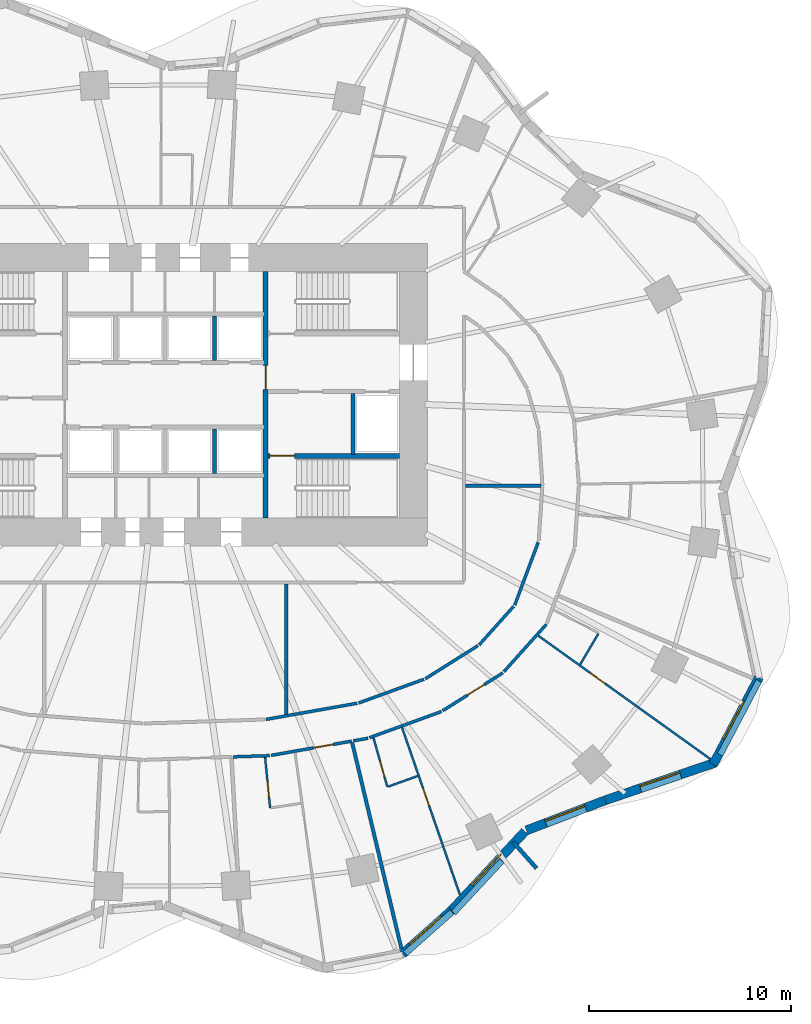
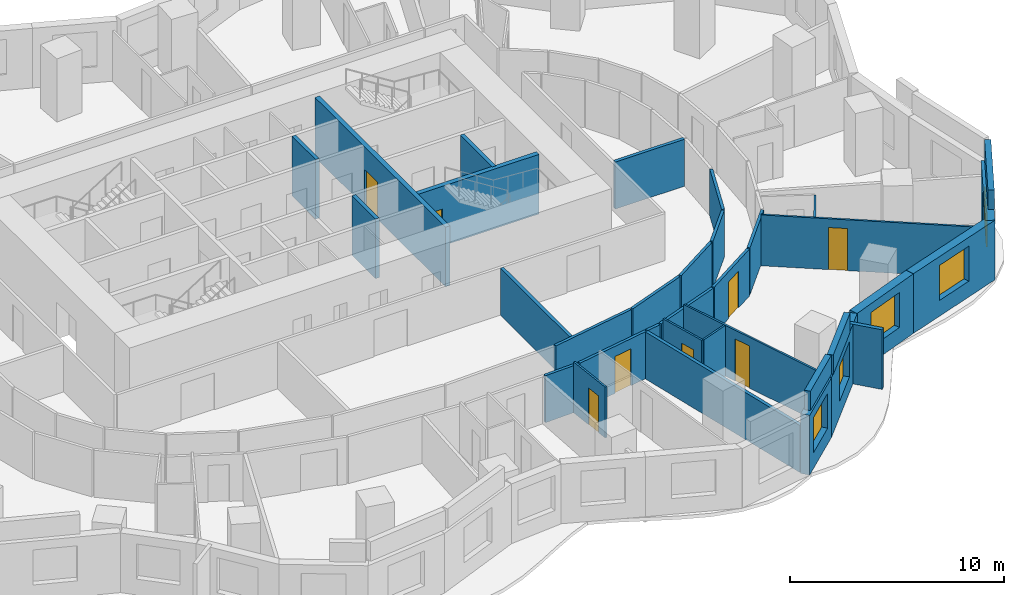
# One storey, part 6 of 11: 34 walls, 8 doors, 5 windows, 13 openings.
"""IFC4 building model written with IfcOpenShell, lengths in metres."""

from ifc_helpers import new_model, si_unit, direction, frame, frame_2d, origin, place, context, subcontext, project, spatial, rectangle, extrude, material, layer, layer_set, type_object, element, fill, save


model = new_model("IFC4")

# Units and contexts
model_context = context("Model", 3, precision=1e-05, world=origin(), true_north=direction((0.0, 1.0)))
body_context = subcontext(model_context, "Body", "Model", "MODEL_VIEW")
ifc_project = project(units=[si_unit("LENGTHUNIT", "METRE"), si_unit("AREAUNIT", "SQUARE_METRE"), si_unit("VOLUMEUNIT", "CUBIC_METRE"), si_unit("PLANEANGLEUNIT", "RADIAN"), si_unit("MASSUNIT", "GRAM", prefix="KILO")], contexts=[model_context])

# Site, building, storey
site_placement = place(None, origin())
site = spatial("IfcSite", under=ifc_project, at=site_placement, CompositionType="ELEMENT")
building_placement = place(site_placement, origin())
building = spatial("IfcBuilding", under=site, at=building_placement, Name="Rubra Terraces Tower", CompositionType="ELEMENT")
storey_placement = place(building_placement, frame((0.0, 0.0, 69.89990234375)))
storey = spatial("IfcBuildingStorey", under=building, at=storey_placement, Name="L15", CompositionType="ELEMENT", Elevation=69.89990234375)

# Walls
ifc_material_1 = material(Name="Twin plasterboard on staggered steel stud, acoustic mineral wool", Category="steel")
ifc_layer_1 = layer(ifc_material_1, 0.175048828125)
ifc_layer_set_1 = layer_set([ifc_layer_1], Name="Twin plasterboard on staggered steel stud, acoustic mineral wool")
wall_type_1 = type_object("IfcWallType", Name="ACOUSTIC PARTY WALL 175", PredefinedType="PARTITIONING", material=ifc_layer_set_1)
wall_1_placement = place(storey_placement, frame((11.70654296875, -22.9560546875, 0.0), z_axis=(0.0, 0.0, 1.0), x_axis=(-0.232380654268, 0.972624918209, 0.0)))
element("IfcWall", 1, at=wall_1_placement, inside=storey, type_object=wall_type_1, Name="PARTITION", PredefinedType="PARTITIONING", context=body_context, shape_type="SweptSolid", body=[
    extrude(rectangle(XDim=10.507080078125, YDim=0.175048828125, at=frame_2d((5.25341796875, 0.0))), origin(), (0.0, 0.0, 1.0), 2.68017578125),
])
wall_2_placement = place(storey_placement, frame((6.0, -11.3359375, 0.0), z_axis=(0.0, 0.0, 1.0), x_axis=(0.0, 1.0, 0.0)))
element("IfcWall", 2, at=wall_2_placement, inside=storey, type_object=wall_type_1, Name="PARTITION", PredefinedType="PARTITIONING", context=body_context, shape_type="SweptSolid", body=[
    extrude(rectangle(XDim=6.4609375, YDim=0.175048828125, at=frame_2d((3.23046875, 0.0))), origin(), (0.0, 0.0, 1.0), 2.68017578125),
])
wall_3_placement = place(storey_placement, frame((14.875, 0.0, 0.0), z_axis=(0.0, 0.0, 1.0), x_axis=(1.0, 0.0, 0.0)))
element("IfcWall", 3, at=wall_3_placement, inside=storey, type_object=wall_type_1, Name="PARTITION", PredefinedType="PARTITIONING", context=body_context, shape_type="SweptSolid", body=[
    extrude(rectangle(XDim=3.744384765625, YDim=0.175048828125, at=frame_2d((1.8720703125, 0.0))), origin(), (0.0, 0.0, 1.0), 2.68017578125),
])

# Wall, opening, window
ifc_material_2 = material(Name="Brick masonry red-brown", Category="masonry")
ifc_layer_2 = layer(ifc_material_2, 0.449951171875)
ifc_layer_set_2 = layer_set([ifc_layer_2], Name="Brick masonry red-brown")
wall_type_2 = type_object("IfcWallType", Name="Brick facade wall 450", PredefinedType="SOLIDWALL", material=ifc_layer_set_2)
wall_4_placement = place(storey_placement, frame((11.763427734375, -23.2119140625, 0.0), z_axis=(0.0, 0.0, 1.0), x_axis=(0.74723528797, 0.664559571755, 0.0)))
wall_4 = element("IfcWall", 4, at=wall_4_placement, inside=storey, type_object=wall_type_2, Name="Facade wall L15 bay 34", PredefinedType="SOLIDWALL", context=body_context, shape_type="SweptSolid", body=[
    extrude(rectangle(XDim=3.251220703125, YDim=0.449951171875, at=frame_2d((1.62548828125, 0.0))), origin(), (0.0, 0.0, 1.0), 3.400146484375),
])
opening_1_placement = place(wall_4_placement, frame((0.57568359375, 0.0, 0.89990234375)))
opening_1 = element("IfcOpeningElement", 5, at=opening_1_placement, cuts=wall_4, Name="Opening W1", PredefinedType="OPENING", context=body_context, shape_type="SweptSolid", body=[
    extrude(rectangle(XDim=2.10009765625, YDim=2.0, at=frame_2d((1.050048828125, 1.0))), frame((0.0, 0.23486328125, 0.0), z_axis=(0.0, -1.0, 0.0), x_axis=(1.0, 0.0, 0.0)), (0.0, 0.0, 1.0), 0.469970703125),
])
ifc_material_3 = material(Name="Clear glass in aluminium frame", Category="aluminium")
window_type = type_object("IfcWindowType", Name="Fixed deep-set window 2100 x 2000", PartitioningType="SINGLE_PANEL", PredefinedType="WINDOW", material=ifc_material_3)
window_1_placement = place(opening_1_placement, origin())
window_1 = element("IfcWindow", 6, at=window_1_placement, inside=storey, type_object=window_type, Name="Window L15 bay 34", OverallHeight=2.0, OverallWidth=2.10009765625, PartitioningType="SINGLE_PANEL", PredefinedType="WINDOW", context=body_context, shape_type="SweptSolid", body=[
    extrude(rectangle(XDim=2.10009765625, YDim=2.0, at=frame_2d((1.050048828125, 1.0))), frame((0.0, 0.135009765625, 0.0), z_axis=(0.0, -1.0, 0.0), x_axis=(1.0, 0.0, 0.0)), (0.0, 0.0, 1.0), 0.06005859375),
])
fill(opening_1, window_1)

wall_5_placement = place(storey_placement, frame((14.177490234375, -21.066162109375, 0.0), z_axis=(0.0, 0.0, 1.0), x_axis=(0.680847709714, 0.732425010617, 0.0)))
wall_5 = element("IfcWall", 7, at=wall_5_placement, inside=storey, type_object=wall_type_2, Name="Facade wall L15 bay 35", PredefinedType="SOLIDWALL", context=body_context, shape_type="SweptSolid", body=[
    extrude(rectangle(XDim=5.3583984375, YDim=0.449951171875, at=frame_2d((2.67919921875, 0.0))), origin(), (0.0, 0.0, 1.0), 3.400146484375),
])
opening_2_placement = place(wall_5_placement, frame((1.629150390625, 0.0, 0.89990234375)))
opening_2 = element("IfcOpeningElement", 8, at=opening_2_placement, cuts=wall_5, Name="Opening W1", PredefinedType="OPENING", context=body_context, shape_type="SweptSolid", body=[
    extrude(rectangle(XDim=2.10009765625, YDim=2.0, at=frame_2d((1.050048828125, 1.0))), frame((0.0, 0.23486328125, 0.0), z_axis=(0.0, -1.0, 0.0), x_axis=(1.0, 0.0, 0.0)), (0.0, 0.0, 1.0), 0.469970703125),
])
window_2_placement = place(opening_2_placement, origin())
window_2 = element("IfcWindow", 9, at=window_2_placement, inside=storey, type_object=window_type, Name="Window L15 bay 35", OverallHeight=2.0, OverallWidth=2.10009765625, PartitioningType="SINGLE_PANEL", PredefinedType="WINDOW", context=body_context, shape_type="SweptSolid", body=[
    extrude(rectangle(XDim=2.10009765625, YDim=2.0, at=frame_2d((1.050048828125, 1.0))), frame((0.0, 0.135009765625, 0.0), z_axis=(0.0, -1.0, 0.0), x_axis=(1.0, 0.0, 0.0)), (0.0, 0.0, 1.0), 0.06005859375),
])
fill(opening_2, window_2)

wall_6_placement = place(storey_placement, frame((17.9033203125, -17.08740234375, 0.0), z_axis=(0.0, 0.0, 1.0), x_axis=(0.934145554025, 0.356892258105, 0.0)))
wall_6 = element("IfcWall", 10, at=wall_6_placement, inside=storey, type_object=wall_type_2, Name="Facade wall L15 bay 36", PredefinedType="SOLIDWALL", context=body_context, shape_type="SweptSolid", body=[
    extrude(rectangle(XDim=4.16455078125, YDim=0.449951171875, at=frame_2d((2.082275390625, 0.0))), origin(), (0.0, 0.0, 1.0), 3.400146484375),
])
opening_3_placement = place(wall_6_placement, frame((1.0322265625, 0.0, 0.89990234375)))
opening_3 = element("IfcOpeningElement", 11, at=opening_3_placement, cuts=wall_6, Name="Opening W1", PredefinedType="OPENING", context=body_context, shape_type="SweptSolid", body=[
    extrude(rectangle(XDim=2.10009765625, YDim=2.0, at=frame_2d((1.050048828125, 1.0))), frame((0.0, 0.23486328125, 0.0), z_axis=(0.0, -1.0, 0.0), x_axis=(1.0, 0.0, 0.0)), (0.0, 0.0, 1.0), 0.469970703125),
])
window_3_placement = place(opening_3_placement, origin())
window_3 = element("IfcWindow", 12, at=window_3_placement, inside=storey, type_object=window_type, Name="Window L15 bay 36", OverallHeight=2.0, OverallWidth=2.10009765625, PartitioningType="SINGLE_PANEL", PredefinedType="WINDOW", context=body_context, shape_type="SweptSolid", body=[
    extrude(rectangle(XDim=2.10009765625, YDim=2.0, at=frame_2d((1.050048828125, 1.0))), frame((0.0, 0.135009765625, 0.0), z_axis=(0.0, -1.0, 0.0), x_axis=(1.0, 0.0, 0.0)), (0.0, 0.0, 1.0), 0.06005859375),
])
fill(opening_3, window_3)

wall_7_placement = place(storey_placement, frame((21.802978515625, -15.597412109375, 0.0), z_axis=(0.0, 0.0, 1.0), x_axis=(0.946115314877, 0.323829910532, 0.0)))
wall_7 = element("IfcWall", 13, at=wall_7_placement, inside=storey, type_object=wall_type_2, Name="Facade wall L15 bay 37", PredefinedType="SOLIDWALL", context=body_context, shape_type="SweptSolid", body=[
    extrude(rectangle(XDim=5.782470703125, YDim=0.449951171875, at=frame_2d((2.89111328125, 0.0))), origin(), (0.0, 0.0, 1.0), 3.400146484375),
])
opening_4_placement = place(wall_7_placement, frame((1.84130859375, 0.0, 0.89990234375)))
opening_4 = element("IfcOpeningElement", 14, at=opening_4_placement, cuts=wall_7, Name="Opening W1", PredefinedType="OPENING", context=body_context, shape_type="SweptSolid", body=[
    extrude(rectangle(XDim=2.10009765625, YDim=2.0, at=frame_2d((1.050048828125, 1.0))), frame((0.0, 0.23486328125, 0.0), z_axis=(0.0, -1.0, 0.0), x_axis=(1.0, 0.0, 0.0)), (0.0, 0.0, 1.0), 0.469970703125),
])
window_4_placement = place(opening_4_placement, origin())
window_4 = element("IfcWindow", 15, at=window_4_placement, inside=storey, type_object=window_type, Name="Window L15 bay 37", OverallHeight=2.0, OverallWidth=2.10009765625, PartitioningType="SINGLE_PANEL", PredefinedType="WINDOW", context=body_context, shape_type="SweptSolid", body=[
    extrude(rectangle(XDim=2.10009765625, YDim=2.0, at=frame_2d((1.050048828125, 1.0))), frame((0.0, 0.135009765625, 0.0), z_axis=(0.0, -1.0, 0.0), x_axis=(1.0, 0.0, 0.0)), (0.0, 0.0, 1.0), 0.06005859375),
])
fill(opening_4, window_4)

wall_8_placement = place(storey_placement, frame((27.15283203125, -13.831298828125, 0.0), z_axis=(0.0, 0.0, 1.0), x_axis=(0.465165872942, 0.885223537108, 0.0)))
wall_8 = element("IfcWall", 16, at=wall_8_placement, inside=storey, type_object=wall_type_2, Name="Facade wall L15 bay 38", PredefinedType="SOLIDWALL", context=body_context, shape_type="SweptSolid", body=[
    extrude(rectangle(XDim=4.87109375, YDim=0.449951171875, at=frame_2d((2.435546875, 0.0))), origin(), (0.0, 0.0, 1.0), 3.400146484375),
])
opening_5_placement = place(wall_8_placement, frame((1.385498046875, 0.0, 0.89990234375)))
opening_5 = element("IfcOpeningElement", 17, at=opening_5_placement, cuts=wall_8, Name="Opening W1", PredefinedType="OPENING", context=body_context, shape_type="SweptSolid", body=[
    extrude(rectangle(XDim=2.10009765625, YDim=2.0, at=frame_2d((1.050048828125, 1.0))), frame((0.0, 0.23486328125, 0.0), z_axis=(0.0, -1.0, 0.0), x_axis=(1.0, 0.0, 0.0)), (0.0, 0.0, 1.0), 0.469970703125),
])
window_5_placement = place(opening_5_placement, origin())
window_5 = element("IfcWindow", 18, at=window_5_placement, inside=storey, type_object=window_type, Name="Window L15 bay 38", OverallHeight=2.0, OverallWidth=2.10009765625, PartitioningType="SINGLE_PANEL", PredefinedType="WINDOW", context=body_context, shape_type="SweptSolid", body=[
    extrude(rectangle(XDim=2.10009765625, YDim=2.0, at=frame_2d((1.050048828125, 1.0))), frame((0.0, 0.135009765625, 0.0), z_axis=(0.0, -1.0, 0.0), x_axis=(1.0, 0.0, 0.0)), (0.0, 0.0, 1.0), 0.06005859375),
])
fill(opening_5, window_5)

# Walls
ifc_layer_3 = layer(ifc_material_2, 0.300048828125)
ifc_layer_set_3 = layer_set([ifc_layer_3], Name="Brick masonry red-brown")
wall_type_3 = type_object("IfcWallType", Name="Brick parapet 300", PredefinedType="PARAPET", material=ifc_layer_set_3)
wall_9_placement = place(storey_placement, frame((11.898193359375, -23.1923828125, 3.60009765625), z_axis=(0.0, 0.0, 1.0), x_axis=(0.74726596591, 0.664525075669, 0.0)))
element("IfcWall", 19, at=wall_9_placement, inside=storey, type_object=wall_type_3, Name="Parapet L15 bay 34", PredefinedType="PARAPET", context=body_context, shape_type="SweptSolid", body=[
    extrude(rectangle(XDim=3.10107421875, YDim=0.300048828125, at=frame_2d((1.550537109375, 0.0))), origin(), (0.0, 0.0, 1.0), 1.10009765625),
])
wall_10_placement = place(storey_placement, frame((14.293212890625, -21.173583984375, 3.60009765625), z_axis=(0.0, 0.0, 1.0), x_axis=(0.680821476217, 0.732449395877, 0.0)))
element("IfcWall", 20, at=wall_10_placement, inside=storey, type_object=wall_type_3, Name="Parapet L15 bay 35", PredefinedType="PARAPET", context=body_context, shape_type="SweptSolid", body=[
    extrude(rectangle(XDim=3.513427734375, YDim=0.300048828125, at=frame_2d((1.7568359375, 0.0))), origin(), (0.0, 0.0, 1.0), 1.10009765625),
])
wall_11_placement = place(storey_placement, frame((27.495361328125, -13.3408203125, 3.60009765625), z_axis=(0.0, 0.0, 1.0), x_axis=(0.46519687666, 0.88520724463, 0.0)))
element("IfcWall", 21, at=wall_11_placement, inside=storey, type_object=wall_type_3, Name="Parapet L15 bay 38", PredefinedType="PARAPET", context=body_context, shape_type="SweptSolid", body=[
    extrude(rectangle(XDim=4.138671875, YDim=0.300048828125, at=frame_2d((2.0693359375, 0.0))), origin(), (0.0, 0.0, 1.0), 1.10009765625),
])
ifc_layer_4 = layer(ifc_material_2, 0.199951171875)
ifc_layer_set_4 = layer_set([ifc_layer_4], Name="Brick masonry red-brown")
wall_type_4 = type_object("IfcWallType", Name="Brick wind fin 200", PredefinedType="SOLIDWALL", material=ifc_layer_set_4)
wall_12_placement = place(storey_placement, frame((17.239990234375, -17.659912109375, 0.0), z_axis=(0.0, 0.0, 1.0), x_axis=(0.664017424016, -0.747717099312, 0.0)))
element("IfcWall", 22, at=wall_12_placement, inside=storey, type_object=wall_type_4, Name="Wind fin L15 21", PredefinedType="SOLIDWALL", context=body_context, shape_type="SweptSolid", body=[
    extrude(rectangle(XDim=1.75, YDim=0.199951171875, at=frame_2d((0.875, 0.0))), origin(), (0.0, 0.0, 1.0), 3.400146484375),
])
ifc_material_4 = material(Name="Plasterboard on steel stud, mineral wool infill", Category="steel")
ifc_layer_5 = layer(ifc_material_4, 0.14990234375)
ifc_layer_set_5 = layer_set([ifc_layer_5], Name="Plasterboard on steel stud, mineral wool infill")
wall_type_5 = type_object("IfcWallType", Name="CORRIDOR PARTITION 150", PredefinedType="PARTITIONING", material=ifc_layer_set_5)
wall_13_placement = place(storey_placement, frame((3.361328125, -13.445068359375, 0.0), z_axis=(0.0, 0.0, 1.0), x_axis=(0.999437889786, 0.033524684348, 0.0)))
element("IfcWall", 23, at=wall_13_placement, inside=storey, type_object=wall_type_5, Name="PARTITION", PredefinedType="PARTITIONING", context=body_context, shape_type="SweptSolid", body=[
    extrude(rectangle(XDim=1.820556640625, YDim=0.14990234375, at=frame_2d((0.91015625, 0.0))), origin(), (0.0, 0.0, 1.0), 2.68017578125),
])

# Wall, opening, door
wall_14_placement = place(storey_placement, frame((5.2548828125, -13.370849609375, 0.0), z_axis=(0.0, 0.0, 1.0), x_axis=(0.984678510279, 0.174379561289, 0.0)))
wall_14 = element("IfcWall", 24, at=wall_14_placement, inside=storey, type_object=wall_type_5, Name="PARTITION", PredefinedType="PARTITIONING", context=body_context, shape_type="SweptSolid", body=[
    extrude(rectangle(XDim=4.054443359375, YDim=0.14990234375, at=frame_2d((2.02734375, 0.0))), origin(), (0.0, 0.0, 1.0), 2.68017578125),
])
opening_6_placement = place(wall_14_placement, frame((2.12109375, 0.0, 0.0)))
opening_6 = element("IfcOpeningElement", 25, at=opening_6_placement, cuts=wall_14, Name="Opening 15-120", PredefinedType="OPENING", context=body_context, shape_type="SweptSolid", body=[
    extrude(rectangle(XDim=1.0, YDim=2.10009765625, at=frame_2d((0.5, 1.050048828125))), frame((0.0, 0.0849609375, 0.0), z_axis=(0.0, -1.0, 0.0), x_axis=(1.0, 0.0, 0.0)), (0.0, 0.0, 1.0), 0.169921875),
])
ifc_material_5 = material(Name="Painted timber door leaf", Category="wood")
door_type_1 = type_object("IfcDoorType", Name="ROOM DOOR 1000 X 2100", OperationType="SINGLE_SWING_LEFT", PredefinedType="DOOR", material=ifc_material_5)
door_1_placement = place(opening_6_placement, origin())
door_1 = element("IfcDoor", 26, at=door_1_placement, inside=storey, type_object=door_type_1, Name="DOOR 15-120", OperationType="SINGLE_SWING_RIGHT", OverallHeight=2.10009765625, OverallWidth=1.0, PredefinedType="DOOR", context=body_context, shape_type="SweptSolid", body=[
    extrude(rectangle(XDim=1.0, YDim=2.10009765625, at=frame_2d((0.5, 1.050048828125))), frame((0.0, 0.02490234375, 0.0), z_axis=(0.0, -1.0, 0.0), x_axis=(1.0, 0.0, 0.0)), (0.0, 0.0, 1.0), 0.050048828125),
])
fill(opening_6, door_1)

# Walls
wall_15_placement = place(storey_placement, frame((9.3212890625, -12.650634765625, 0.0), z_axis=(0.0, 0.0, 1.0), x_axis=(0.984674868209, 0.174400125912, 0.0)))
element("IfcWall", 27, at=wall_15_placement, inside=storey, type_object=wall_type_5, Name="PARTITION", PredefinedType="PARTITIONING", context=body_context, shape_type="SweptSolid", body=[
    extrude(rectangle(XDim=0.74755859375, YDim=0.14990234375, at=frame_2d((0.373779296875, 0.0))), origin(), (0.0, 0.0, 1.0), 2.68017578125),
])
wall_16_placement = place(storey_placement, frame((10.1279296875, -12.494384765625, 0.0), z_axis=(0.0, 0.0, 1.0), x_axis=(0.939720005412, 0.341944895309, 0.0)))
element("IfcWall", 28, at=wall_16_placement, inside=storey, type_object=wall_type_5, Name="PARTITION", PredefinedType="PARTITIONING", context=body_context, shape_type="SweptSolid", body=[
    extrude(rectangle(XDim=3.78759765625, YDim=0.14990234375, at=frame_2d((1.893798828125, 0.0))), origin(), (0.0, 0.0, 1.0), 2.68017578125),
])

# Wall, opening, door
wall_17_placement = place(storey_placement, frame((13.750732421875, -11.1591796875, 0.0), z_axis=(0.0, 0.0, 1.0), x_axis=(0.846413381026, 0.532526420396, 0.0)))
wall_17 = element("IfcWall", 29, at=wall_17_placement, inside=storey, type_object=wall_type_5, Name="PARTITION", PredefinedType="PARTITIONING", context=body_context, shape_type="SweptSolid", body=[
    extrude(rectangle(XDim=3.52197265625, YDim=0.14990234375, at=frame_2d((1.760986328125, 0.0))), origin(), (0.0, 0.0, 1.0), 2.68017578125),
])
opening_7_placement = place(wall_17_placement, frame((1.43994140625, 0.0, 0.0)))
opening_7 = element("IfcOpeningElement", 30, at=opening_7_placement, cuts=wall_17, Name="Opening 15-125", PredefinedType="OPENING", context=body_context, shape_type="SweptSolid", body=[
    extrude(rectangle(XDim=1.0, YDim=2.10009765625, at=frame_2d((0.5, 1.050048828125))), frame((0.0, 0.0849609375, 0.0), z_axis=(0.0, -1.0, 0.0), x_axis=(1.0, 0.0, 0.0)), (0.0, 0.0, 1.0), 0.169921875),
])
door_2_placement = place(opening_7_placement, origin())
door_2 = element("IfcDoor", 31, at=door_2_placement, inside=storey, type_object=door_type_1, Name="DOOR 15-125", OperationType="SINGLE_SWING_RIGHT", OverallHeight=2.10009765625, OverallWidth=1.0, PredefinedType="DOOR", context=body_context, shape_type="SweptSolid", body=[
    extrude(rectangle(XDim=1.0, YDim=2.10009765625, at=frame_2d((0.5, 1.050048828125))), frame((0.0, 0.02490234375, 0.0), z_axis=(0.0, -1.0, 0.0), x_axis=(1.0, 0.0, 0.0)), (0.0, 0.0, 1.0), 0.050048828125),
])
fill(opening_7, door_2)

# Walls
wall_18_placement = place(storey_placement, frame((16.781494140625, -9.227783203125, 0.0), z_axis=(0.0, 0.0, 1.0), x_axis=(0.667305516611, 0.744784094554, 0.0)))
element("IfcWall", 32, at=wall_18_placement, inside=storey, type_object=wall_type_5, Name="PARTITION", PredefinedType="PARTITIONING", context=body_context, shape_type="SweptSolid", body=[
    extrude(rectangle(XDim=3.157470703125, YDim=0.14990234375, at=frame_2d((1.57861328125, 0.0))), origin(), (0.0, 0.0, 1.0), 2.68017578125),
])
wall_19_placement = place(storey_placement, frame((18.48193359375, -2.815185546875, 0.0), z_axis=(0.0, 0.0, 1.0), x_axis=(-0.349448047934, -0.936955741642, 0.0)))
element("IfcWall", 33, at=wall_19_placement, inside=storey, type_object=wall_type_5, Name="PARTITION", PredefinedType="PARTITIONING", context=body_context, shape_type="SweptSolid", body=[
    extrude(rectangle(XDim=3.32275390625, YDim=0.14990234375, at=frame_2d((1.661376953125, 0.0))), origin(), (0.0, 0.0, 1.0), 2.68017578125),
])
wall_20_placement = place(storey_placement, frame((17.270751953125, -5.984375, 0.0), z_axis=(0.0, 0.0, 1.0), x_axis=(-0.667301130907, -0.744788023997, 0.0)))
element("IfcWall", 34, at=wall_20_placement, inside=storey, type_object=wall_type_5, Name="PARTITION", PredefinedType="PARTITIONING", context=body_context, shape_type="SweptSolid", body=[
    extrude(rectangle(XDim=2.564697265625, YDim=0.14990234375, at=frame_2d((1.2822265625, 0.0))), origin(), (0.0, 0.0, 1.0), 2.68017578125),
])
wall_21_placement = place(storey_placement, frame((15.495849609375, -7.934326171875, 0.0), z_axis=(0.0, 0.0, 1.0), x_axis=(-0.846358667139, -0.532613374371, 0.0)))
element("IfcWall", 35, at=wall_21_placement, inside=storey, type_object=wall_type_5, Name="PARTITION", PredefinedType="PARTITIONING", context=body_context, shape_type="SweptSolid", body=[
    extrude(rectangle(XDim=3.07763671875, YDim=0.14990234375, at=frame_2d((1.538818359375, 0.0))), origin(), (0.0, 0.0, 1.0), 2.68017578125),
])
wall_22_placement = place(storey_placement, frame((12.82080078125, -9.59912109375, 0.0), z_axis=(0.0, 0.0, 1.0), x_axis=(-0.939712560326, -0.341965354921, 0.0)))
element("IfcWall", 36, at=wall_22_placement, inside=storey, type_object=wall_type_5, Name="PARTITION", PredefinedType="PARTITIONING", context=body_context, shape_type="SweptSolid", body=[
    extrude(rectangle(XDim=3.43896484375, YDim=0.14990234375, at=frame_2d((1.719482421875, 0.0))), origin(), (0.0, 0.0, 1.0), 2.68017578125),
])
wall_23_placement = place(storey_placement, frame((9.51513671875, -10.7880859375, 0.0), z_axis=(0.0, 0.0, 1.0), x_axis=(-0.984662912103, -0.174467617423, 0.0)))
element("IfcWall", 37, at=wall_23_placement, inside=storey, type_object=wall_type_5, Name="PARTITION", PredefinedType="PARTITIONING", context=body_context, shape_type="SweptSolid", body=[
    extrude(rectangle(XDim=4.5927734375, YDim=0.14990234375, at=frame_2d((2.29638671875, 0.0))), origin(), (0.0, 0.0, 1.0), 2.68017578125),
])
ifc_material_6 = material(Name="Concrete C30", Category="concrete")
ifc_layer_6 = layer(ifc_material_6, 0.199951171875)
ifc_layer_set_6 = layer_set([ifc_layer_6], Name="Concrete C30")
wall_type_6 = type_object("IfcWallType", Name="Core wall 200 concrete", PredefinedType="SOLIDWALL", material=ifc_layer_set_6)
wall_24_placement = place(storey_placement, frame((9.300048828125, 4.550048828125, 0.0), z_axis=(0.0, 0.0, 1.0), x_axis=(0.0, -1.0, 0.0)))
element("IfcWall", 38, at=wall_24_placement, inside=storey, type_object=wall_type_6, Name="STAIR WALL L15", PredefinedType="SOLIDWALL", context=body_context, shape_type="SweptSolid", body=[
    extrude(rectangle(XDim=3.0, YDim=0.199951171875, at=frame_2d((1.5, 0.0))), origin(), (0.0, 0.0, 1.0), 3.400146484375),
])
for number, where, z_axis, x_axis, name in (
    (39, (2.449951171875, 0.60009765625, 0.0), (0.0, 0.0, 1.0), (0.0, 1.0, 0.0), "LIFT SHAFT WALL L15"),
    (40, (2.449951171875, 6.199951171875, 0.0), (0.0, 0.0, 1.0), (0.0, 1.0, 0.0), "LIFT SHAFT WALL L15"),
):
    element("IfcWall", number, at=place(storey_placement, frame(where, z_axis=z_axis, x_axis=x_axis)), inside=storey, type_object=wall_type_6, Name=name, PredefinedType="SOLIDWALL", context=body_context, shape_type="SweptSolid", body=[
        extrude(rectangle(XDim=2.199951171875, YDim=0.199951171875, at=frame_2d((1.10009765625, 0.0))), origin(), (0.0, 0.0, 1.0), 3.400146484375),
    ])

# Wall, opening, door
ifc_material_7 = material(Name="Plasterboard on steel stud", Category="steel")
ifc_layer_7 = layer(ifc_material_7, 0.10009765625)
ifc_layer_set_7 = layer_set([ifc_layer_7], Name="Plasterboard on steel stud")
wall_type_7 = type_object("IfcWallType", Name="ROOM PARTITION 100", PredefinedType="PARTITIONING", material=ifc_layer_set_7)
wall_25_placement = place(storey_placement, frame((4.951171875, -13.466552734375, 0.0), z_axis=(0.0, 0.0, 1.0), x_axis=(0.09832622732, -0.995154235795, 0.0)))
wall_25 = element("IfcWall", 41, at=wall_25_placement, inside=storey, type_object=wall_type_7, Name="PARTITION", PredefinedType="PARTITIONING", context=body_context, shape_type="SweptSolid", body=[
    extrude(rectangle(XDim=2.525146484375, YDim=0.10009765625, at=frame_2d((1.2626953125, 0.0))), origin(), (0.0, 0.0, 1.0), 2.898193359375),
])
opening_8_placement = place(wall_25_placement, frame((1.199951171875, 0.0, 0.0)))
opening_8 = element("IfcOpeningElement", 42, at=opening_8_placement, cuts=wall_25, Name="Opening 15-118", PredefinedType="OPENING", context=body_context, shape_type="SweptSolid", body=[
    extrude(rectangle(XDim=0.800048828125, YDim=2.10009765625, at=frame_2d((0.39990234375, 1.050048828125))), frame((0.0, 0.06005859375, 0.0), z_axis=(0.0, -1.0, 0.0), x_axis=(1.0, 0.0, 0.0)), (0.0, 0.0, 1.0), 0.1201171875),
])
door_type_2 = type_object("IfcDoorType", Name="BATHROOM DOOR 800 X 2100", OperationType="SINGLE_SWING_LEFT", PredefinedType="DOOR", material=ifc_material_5)
door_3_placement = place(opening_8_placement, origin())
door_3 = element("IfcDoor", 43, at=door_3_placement, inside=storey, type_object=door_type_2, Name="DOOR 15-118", OperationType="SINGLE_SWING_LEFT", OverallHeight=2.10009765625, OverallWidth=0.800048828125, PredefinedType="DOOR", context=body_context, shape_type="SweptSolid", body=[
    extrude(rectangle(XDim=0.800048828125, YDim=2.10009765625, at=frame_2d((0.39990234375, 1.050048828125))), frame((0.0, 0.02490234375, 0.0), z_axis=(0.0, -1.0, 0.0), x_axis=(1.0, 0.0, 0.0)), (0.0, 0.0, 1.0), 0.050048828125),
])
fill(opening_8, door_3)

wall_26_placement = place(storey_placement, frame((14.603271484375, -20.27197265625, 0.0), z_axis=(0.0, 0.0, 1.0), x_axis=(-0.327253103395, 0.944936720801, 0.0)))
wall_26 = element("IfcWall", 44, at=wall_26_placement, inside=storey, type_object=wall_type_7, Name="PARTITION", PredefinedType="PARTITIONING", context=body_context, shape_type="SweptSolid", body=[
    extrude(rectangle(XDim=8.76513671875, YDim=0.10009765625, at=frame_2d((4.382568359375, 0.0))), origin(), (0.0, 0.0, 1.0), 2.898193359375),
])
opening_9_placement = place(wall_26_placement, frame((4.68994140625, 0.0, 0.0)))
opening_9 = element("IfcOpeningElement", 45, at=opening_9_placement, cuts=wall_26, Name="Opening 15-123", PredefinedType="OPENING", context=body_context, shape_type="SweptSolid", body=[
    extrude(rectangle(XDim=0.89990234375, YDim=2.39990234375, at=frame_2d((0.449951171875, 1.199951171875))), frame((0.0, 0.06005859375, 0.0), z_axis=(0.0, -1.0, 0.0), x_axis=(1.0, 0.0, 0.0)), (0.0, 0.0, 1.0), 0.1201171875),
])
ifc_material_8 = material(Name="Veneered timber door leaf, fire-rated", Category="wood")
door_type_3 = type_object("IfcDoorType", Name="SUITE ENTRANCE DOOR 900 X 2400", OperationType="SINGLE_SWING_LEFT", PredefinedType="DOOR", material=ifc_material_8)
door_4_placement = place(opening_9_placement, origin())
door_4 = element("IfcDoor", 46, at=door_4_placement, inside=storey, type_object=door_type_3, Name="DOOR 15-123", OperationType="SINGLE_SWING_LEFT", OverallHeight=2.39990234375, OverallWidth=0.89990234375, PredefinedType="DOOR", context=body_context, shape_type="SweptSolid", body=[
    extrude(rectangle(XDim=0.89990234375, YDim=2.39990234375, at=frame_2d((0.449951171875, 1.199951171875))), frame((0.0, 0.02490234375, 0.0), z_axis=(0.0, -1.0, 0.0), x_axis=(1.0, 0.0, 0.0)), (0.0, 0.0, 1.0), 0.050048828125),
])
fill(opening_9, door_4)

wall_27_placement = place(storey_placement, frame((27.03271484375, -13.5654296875, 0.0), z_axis=(0.0, 0.0, 1.0), x_axis=(-0.812696934536, 0.582686616112, 0.0)))
wall_27 = element("IfcWall", 47, at=wall_27_placement, inside=storey, type_object=wall_type_7, Name="PARTITION", PredefinedType="PARTITIONING", context=body_context, shape_type="SweptSolid", body=[
    extrude(rectangle(XDim=10.5166015625, YDim=0.10009765625, at=frame_2d((5.25830078125, 0.0))), origin(), (0.0, 0.0, 1.0), 2.898193359375),
])
opening_10_placement = place(wall_27_placement, frame((6.44189453125, 0.0, 0.0)))
opening_10 = element("IfcOpeningElement", 48, at=opening_10_placement, cuts=wall_27, Name="Opening 15-124", PredefinedType="OPENING", context=body_context, shape_type="SweptSolid", body=[
    extrude(rectangle(XDim=0.89990234375, YDim=2.39990234375, at=frame_2d((0.449951171875, 1.199951171875))), frame((0.0, 0.06005859375, 0.0), z_axis=(0.0, -1.0, 0.0), x_axis=(1.0, 0.0, 0.0)), (0.0, 0.0, 1.0), 0.1201171875),
])
door_5_placement = place(opening_10_placement, origin())
door_5 = element("IfcDoor", 49, at=door_5_placement, inside=storey, type_object=door_type_3, Name="DOOR 15-124", OperationType="SINGLE_SWING_LEFT", OverallHeight=2.39990234375, OverallWidth=0.89990234375, PredefinedType="DOOR", context=body_context, shape_type="SweptSolid", body=[
    extrude(rectangle(XDim=0.89990234375, YDim=2.39990234375, at=frame_2d((0.449951171875, 1.199951171875))), frame((0.0, 0.02490234375, 0.0), z_axis=(0.0, -1.0, 0.0), x_axis=(1.0, 0.0, 0.0)), (0.0, 0.0, 1.0), 0.050048828125),
])
fill(opening_10, door_5)

wall_28_placement = place(storey_placement, frame((10.3212890625, -12.50390625, 0.0), z_axis=(0.0, 0.0, 1.0), x_axis=(0.272498138777, -0.962156309735, 0.0)))
wall_28 = element("IfcWall", 50, at=wall_28_placement, inside=storey, type_object=wall_type_7, Name="PARTITION", PredefinedType="PARTITIONING", context=body_context, shape_type="SweptSolid", body=[
    extrude(rectangle(XDim=2.524658203125, YDim=0.10009765625, at=frame_2d((1.26220703125, 0.0))), origin(), (0.0, 0.0, 1.0), 2.898193359375),
])
opening_11_placement = place(wall_28_placement, frame((1.199951171875, 0.0, 0.0)))
opening_11 = element("IfcOpeningElement", 51, at=opening_11_placement, cuts=wall_28, Name="Opening 15-121", PredefinedType="OPENING", context=body_context, shape_type="SweptSolid", body=[
    extrude(rectangle(XDim=0.800048828125, YDim=2.10009765625, at=frame_2d((0.39990234375, 1.050048828125))), frame((0.0, 0.06005859375, 0.0), z_axis=(0.0, -1.0, 0.0), x_axis=(1.0, 0.0, 0.0)), (0.0, 0.0, 1.0), 0.1201171875),
])
door_6_placement = place(opening_11_placement, origin())
door_6 = element("IfcDoor", 52, at=door_6_placement, inside=storey, type_object=door_type_2, Name="DOOR 15-121", OperationType="SINGLE_SWING_LEFT", OverallHeight=2.10009765625, OverallWidth=0.800048828125, PredefinedType="DOOR", context=body_context, shape_type="SweptSolid", body=[
    extrude(rectangle(XDim=0.800048828125, YDim=2.10009765625, at=frame_2d((0.39990234375, 1.050048828125))), frame((0.0, 0.02490234375, 0.0), z_axis=(0.0, -1.0, 0.0), x_axis=(1.0, 0.0, 0.0)), (0.0, 0.0, 1.0), 0.050048828125),
])
fill(opening_11, door_6)

# Walls
wall_29_placement = place(storey_placement, frame((11.056396484375, -14.916259765625, 0.0), z_axis=(0.0, 0.0, 1.0), x_axis=(0.941066094494, 0.338222716259, 0.0)))
element("IfcWall", 53, at=wall_29_placement, inside=storey, type_object=wall_type_7, Name="PARTITION", PredefinedType="PARTITIONING", context=body_context, shape_type="SweptSolid", body=[
    extrude(rectangle(XDim=1.549072265625, YDim=0.10009765625, at=frame_2d((0.7744140625, 0.0))), origin(), (0.0, 0.0, 1.0), 2.898193359375),
])
wall_30_placement = place(storey_placement, frame((21.458740234375, -7.349853515625, 0.0), z_axis=(0.0, 0.0, 1.0), x_axis=(-0.508631201266, -0.860984495272, 0.0)))
element("IfcWall", 54, at=wall_30_placement, inside=storey, type_object=wall_type_7, Name="PARTITION", PredefinedType="PARTITIONING", context=body_context, shape_type="SweptSolid", body=[
    extrude(rectangle(XDim=1.7607421875, YDim=0.10009765625, at=frame_2d((0.88037109375, 0.0))), origin(), (0.0, 0.0, 1.0), 2.898193359375),
])

# Wall, opening, door
ifc_material_9 = material(Name="Concrete C40", Category="concrete")
ifc_layer_8 = layer(ifc_material_9, 0.25)
ifc_layer_set_8 = layer_set([ifc_layer_8], Name="Concrete C40")
wall_type_8 = type_object("IfcWallType", Name="Stair enclosure wall 250 concrete", PredefinedType="SOLIDWALL", material=ifc_layer_set_8)
wall_31_placement = place(storey_placement, frame((11.60009765625, 1.47509765625, 0.0), z_axis=(0.0, 0.0, 1.0), x_axis=(-1.0, 0.0, 0.0)))
wall_31 = element("IfcWall", 55, at=wall_31_placement, inside=storey, type_object=wall_type_8, Name="STAIR WALL L15", PredefinedType="SOLIDWALL", context=body_context, shape_type="SweptSolid", body=[
    extrude(rectangle(XDim=6.5, YDim=0.25, at=frame_2d((3.25, 0.0))), origin(), (0.0, 0.0, 1.0), 3.400146484375),
])
opening_12_placement = place(wall_31_placement, frame((5.199951171875, 0.0, 0.0)))
opening_12 = element("IfcOpeningElement", 56, at=opening_12_placement, cuts=wall_31, Name="Opening L15.C10", PredefinedType="OPENING", context=body_context, shape_type="SweptSolid", body=[
    extrude(rectangle(XDim=1.199951171875, YDim=2.10009765625, at=frame_2d((0.60009765625, 1.050048828125))), frame((0.0, 0.135009765625, 0.0), z_axis=(0.0, -1.0, 0.0), x_axis=(1.0, 0.0, 0.0)), (0.0, 0.0, 1.0), 0.27001953125),
])
ifc_material_10 = material(Name="Painted steel", Category="steel")
door_type_4 = type_object("IfcDoorType", Name="Fire door 1200x2100 single", OperationType="NOTDEFINED", PredefinedType="DOOR", material=ifc_material_10)
door_7_placement = place(opening_12_placement, origin())
door_7 = element("IfcDoor", 57, at=door_7_placement, inside=storey, type_object=door_type_4, Name="Stair door S4", OperationType="SINGLE_SWING_RIGHT", OverallHeight=2.10009765625, OverallWidth=1.199951171875, PredefinedType="DOOR", context=body_context, shape_type="SweptSolid", body=[
    extrude(rectangle(XDim=1.199951171875, YDim=2.10009765625, at=frame_2d((0.60009765625, 1.050048828125))), frame((0.0, 0.02490234375, 0.0), z_axis=(0.0, -1.0, 0.0), x_axis=(1.0, 0.0, 0.0)), (0.0, 0.0, 1.0), 0.050048828125),
])
fill(opening_12, door_7)

wall_32_placement = place(storey_placement, frame((4.97509765625, 10.60009765625, 0.0), z_axis=(0.0, 0.0, 1.0), x_axis=(0.0, -1.0, 0.0)))
wall_32 = element("IfcWall", 58, at=wall_32_placement, inside=storey, type_object=wall_type_8, Name="CORE LOBBY WALL L15", PredefinedType="SOLIDWALL", context=body_context, shape_type="SweptSolid", body=[
    extrude(rectangle(XDim=12.2001953125, YDim=0.25, at=frame_2d((6.10009765625, 0.0))), origin(), (0.0, 0.0, 1.0), 3.400146484375),
])
opening_13_placement = place(wall_32_placement, frame((4.64990234375, 0.0, 0.0)))
opening_13 = element("IfcOpeningElement", 59, at=opening_13_placement, cuts=wall_32, Name="Opening L15.C04", PredefinedType="OPENING", context=body_context, shape_type="SweptSolid", body=[
    extrude(rectangle(XDim=1.199951171875, YDim=2.10009765625, at=frame_2d((0.60009765625, 1.050048828125))), frame((0.0, 0.135009765625, 0.0), z_axis=(0.0, -1.0, 0.0), x_axis=(1.0, 0.0, 0.0)), (0.0, 0.0, 1.0), 0.27001953125),
])
door_8_placement = place(opening_13_placement, origin())
door_8 = element("IfcDoor", 60, at=door_8_placement, inside=storey, type_object=door_type_4, Name="Firefighting lobby door FF2", OperationType="SINGLE_SWING_RIGHT", OverallHeight=2.10009765625, OverallWidth=1.199951171875, PredefinedType="DOOR", context=body_context, shape_type="SweptSolid", body=[
    extrude(rectangle(XDim=1.199951171875, YDim=2.10009765625, at=frame_2d((0.60009765625, 1.050048828125))), frame((0.0, 0.02490234375, 0.0), z_axis=(0.0, -1.0, 0.0), x_axis=(1.0, 0.0, 0.0)), (0.0, 0.0, 1.0), 0.050048828125),
])
fill(opening_13, door_8)

save(model, "model.ifc")
